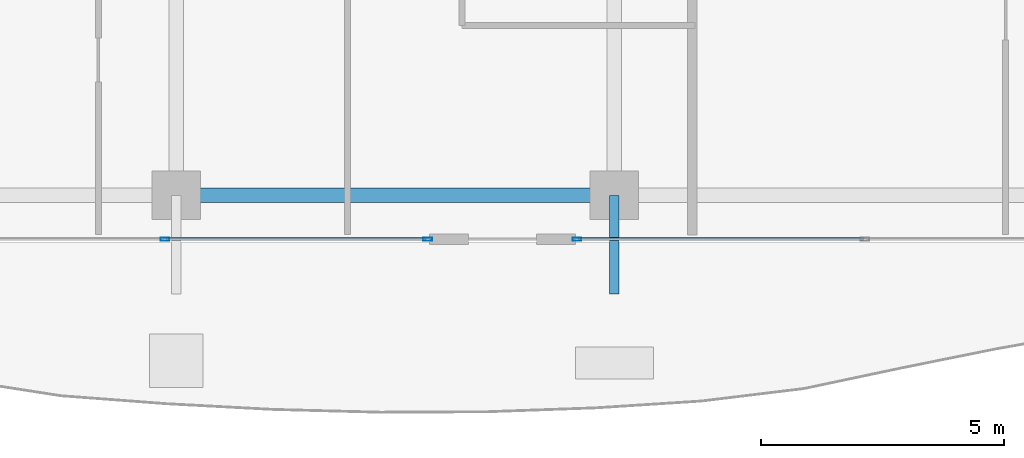
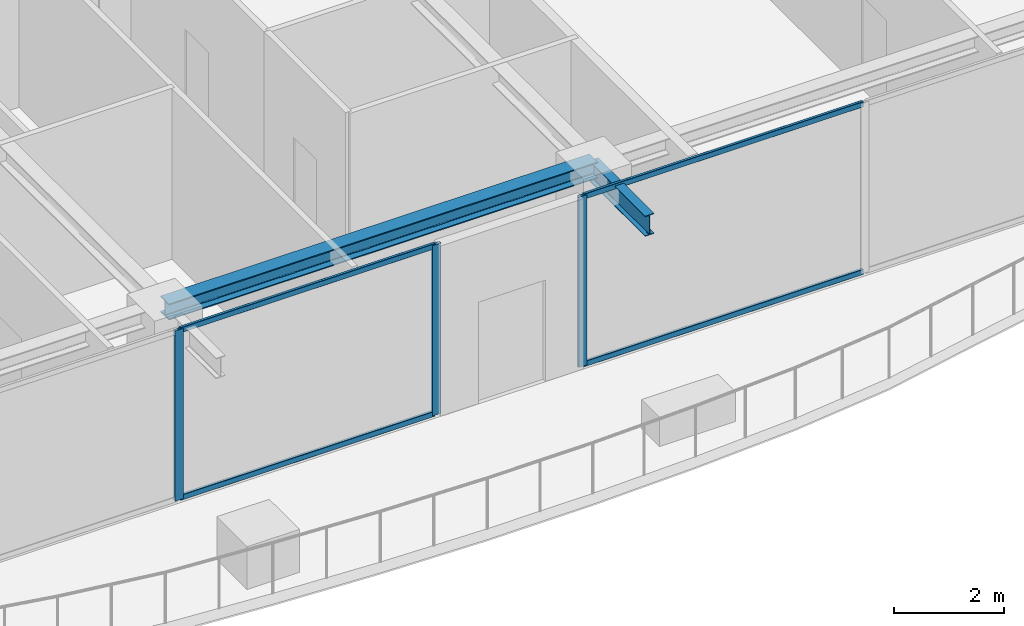
# One storey, part 6 of 42: 7 members, 2 beams, 2 elements without a shape of their own.
"""IFC4 building model written with IfcOpenShell, lengths in metres."""

from ifc_helpers import new_model, si_unit, direction, frame, origin, origin_2d, place, context, subcontext, project, spatial, hollow_rectangle, i_section, extrude, source, transform, mapped, material, layer, layer_set, material_profile, profile_set, type_object, element, aggregate, save


model = new_model("IFC4")

# Units and contexts
model_context = context("Model", 3, precision=1e-05, world=origin(), true_north=direction((0.0, 1.0)))
body_context = subcontext(model_context, "Body", "Model", "MODEL_VIEW")
ifc_project = project(units=[si_unit("LENGTHUNIT", "METRE"), si_unit("AREAUNIT", "SQUARE_METRE"), si_unit("VOLUMEUNIT", "CUBIC_METRE"), si_unit("PLANEANGLEUNIT", "RADIAN"), si_unit("MASSUNIT", "GRAM", prefix="KILO")], contexts=[model_context])

# Site, building, storey
site_placement = place(None, origin())
site = spatial("IfcSite", under=ifc_project, at=site_placement, CompositionType="ELEMENT")
building_placement = place(site_placement, origin())
building = spatial("IfcBuilding", under=site, at=building_placement, Name="Serunith Strait Residences", CompositionType="ELEMENT")
storey_placement = place(building_placement, frame((0.0, 0.0, 309.64990234375)))
storey = spatial("IfcBuildingStorey", under=building, at=storey_placement, Name="L77", CompositionType="ELEMENT", Elevation=309.64990234375)

# Beams
ifc_material_1 = material(Name="Steel S355J2", Category="steel")
ifc_material_profile_1 = material_profile(ifc_material_1, i_section(OverallWidth=0.300048828125, OverallDepth=0.360107421875, WebThickness=0.012451171875, FlangeThickness=0.0224609375, FilletRadius=0.027099609375, at=origin_2d()), Name="HEB 360")
ifc_profile_set_1 = profile_set([ifc_material_profile_1], Name="Steel S355J2")
beam_type_1 = type_object("IfcBeamType", Name="BM-HEB360", PredefinedType="BEAM", material=ifc_profile_set_1)
shared_shape_1 = source(origin(), body_context, "Body", "SweptSolid", [
    extrude(i_section(OverallWidth=0.300048828125, OverallDepth=0.360107421875, WebThickness=0.012451171875, FlangeThickness=0.0224609375, FilletRadius=0.027099609375, at=origin_2d()), origin(), (0.0, 0.0, 1.0), 9.0),
])
beam_1_placement = place(storey_placement, frame((27.89990234375, 3.300048828125, 3.607177734375), z_axis=(1.0, 0.0, 0.0), x_axis=(0.0, 1.0, 0.0)))
element("IfcBeam", 1, at=beam_1_placement, inside=storey, type_object=beam_type_1, Name="L77 Perimeter Ring Beam 02", PredefinedType="BEAM", context=body_context, shape_type="MappedRepresentation", body=[
    mapped(shared_shape_1, transform((0.0, 0.0, 0.0), scale=1.0)),
])
ifc_material_profile_2 = material_profile(ifc_material_1, i_section(OverallWidth=0.18994140625, OverallDepth=0.449951171875, WebThickness=0.009521484375, FlangeThickness=0.0146484375, FilletRadius=0.02099609375, at=origin_2d()), Name="IPE 450")
ifc_profile_set_2 = profile_set([ifc_material_profile_2], Name="Steel S355J2")
beam_type_2 = type_object("IfcBeamType", Name="BM-IPE450", PredefinedType="JOIST", material=ifc_profile_set_2)
shared_shape_2 = source(origin(), body_context, "Body", "SweptSolid", [
    extrude(i_section(OverallWidth=0.18994140625, OverallDepth=0.449951171875, WebThickness=0.009521484375, FlangeThickness=0.0146484375, FilletRadius=0.02099609375, at=origin_2d()), origin(), (0.0, 0.0, 1.0), 2.030029296875),
])
beam_2_placement = place(storey_placement, frame((36.89990234375, 3.300048828125, 3.531982421875), z_axis=(0.0, -1.0, 0.0), x_axis=(1.0, 0.0, 0.0)))
element("IfcBeam", 2, at=beam_2_placement, inside=storey, type_object=beam_type_2, Name="L78 Cantilevered Balcony Rib TC-S3", PredefinedType="JOIST", context=body_context, shape_type="MappedRepresentation", body=[
    mapped(shared_shape_2, transform((0.0, 0.0, 0.0), scale=1.0)),
])

# Curtain wall, members
ifc_material_2 = material(Name="Brushed Stainless-Silver Aluminium", Category="aluminium")
ifc_layer = layer(ifc_material_2, 0.199951171875, Name="Brushed Stainless-Silver Aluminium")
ifc_layer_set = layer_set([ifc_layer], Name="Brushed Stainless-Silver Aluminium")
curtain_wall_type = type_object("IfcCurtainWallType", Name="CW-SYS5", PredefinedType="NOTDEFINED", material=ifc_layer_set)
curtain_wall_1_placement = place(storey_placement, origin())
curtain_wall_1 = element("IfcCurtainWall", 3, at=curtain_wall_1_placement, inside=storey, type_object=curtain_wall_type, Name="L77 S Unitised Fritted Curtain Wall", PredefinedType="NOTDEFINED")
ifc_material_profile_3 = material_profile(ifc_material_2, hollow_rectangle(XDim=0.06494140625, YDim=0.179931640625, WallThickness=0.00341796875, InnerFilletRadius=0.00537109375, OuterFilletRadius=0.0087890625, at=origin_2d()), Name="ALU 180x65x3.5")
ifc_profile_set_3 = profile_set([ifc_material_profile_3], Name="Brushed Stainless-Silver Aluminium")
member_type_1 = type_object("IfcMemberType", Name="CW-SYS5-MULL", PredefinedType="MULLION", material=ifc_profile_set_3)
shared_shape_3 = source(origin(), body_context, "Body", "SweptSolid", [
    extrude(hollow_rectangle(XDim=0.06494140625, YDim=0.179931640625, WallThickness=0.00341796875, InnerFilletRadius=0.00537109375, OuterFilletRadius=0.0087890625, at=origin_2d()), origin(), (0.0, 0.0, 1.0), 3.775146484375),
])
member_1_placement = place(storey_placement, frame((27.666748046875, 2.39990234375, 0.0), z_axis=(0.0, 0.0, 1.0), x_axis=(0.0, 1.0, 0.0)))
member_1 = element("IfcMember", 4, at=member_1_placement, type_object=member_type_1, Name="CW-5 mullion 3", PredefinedType="MULLION", context=body_context, shape_type="MappedRepresentation", body=[
    mapped(shared_shape_3, transform((0.0, 0.0, 0.0), scale=1.0)),
])
member_2_placement = place(storey_placement, frame((33.0673828125, 2.39990234375, 0.0), z_axis=(0.0, 0.0, 1.0), x_axis=(0.0, 1.0, 0.0)))
member_2 = element("IfcMember", 5, at=member_2_placement, type_object=member_type_1, Name="CW-5 mullion 4", PredefinedType="MULLION", context=body_context, shape_type="MappedRepresentation", body=[
    mapped(shared_shape_3, transform((0.0, 0.0, 0.0), scale=1.0)),
])

curtain_wall_2_placement = place(storey_placement, origin())
curtain_wall_2 = element("IfcCurtainWall", 6, at=curtain_wall_2_placement, inside=storey, type_object=curtain_wall_type, Name="L77 S Unitised Fritted Curtain Wall", PredefinedType="NOTDEFINED")
member_3_placement = place(storey_placement, frame((36.132568359375, 2.39990234375, 0.0), z_axis=(0.0, 0.0, 1.0), x_axis=(0.0, 1.0, 0.0)))
member_3 = element("IfcMember", 7, at=member_3_placement, type_object=member_type_1, Name="CW-5 mullion 1", PredefinedType="MULLION", context=body_context, shape_type="MappedRepresentation", body=[
    mapped(shared_shape_3, transform((0.0, 0.0, 0.0), scale=1.0)),
])
ifc_material_profile_4 = material_profile(ifc_material_2, hollow_rectangle(XDim=0.06005859375, YDim=0.1201171875, WallThickness=0.00341796875, InnerFilletRadius=0.00537109375, OuterFilletRadius=0.0087890625, at=origin_2d()), Name="ALU 120x60x3.5")
ifc_profile_set_4 = profile_set([ifc_material_profile_4], Name="Brushed Stainless-Silver Aluminium")
member_type_2 = type_object("IfcMemberType", Name="CW-SYS5-TRAN", PredefinedType="USERDEFINED", material=ifc_profile_set_4)
shared_shape_4 = source(origin(), body_context, "Body", "SweptSolid", [
    extrude(hollow_rectangle(XDim=0.06005859375, YDim=0.1201171875, WallThickness=0.00341796875, InnerFilletRadius=0.00537109375, OuterFilletRadius=0.0087890625, at=origin_2d()), origin(), (0.0, 0.0, 1.0), 5.8525390625),
])
member_4_placement = place(storey_placement, frame((36.1650390625, 2.39990234375, 0.030029296875), z_axis=(1.0, 0.0, 0.0), x_axis=(0.0, 1.0, 0.0)))
member_4 = element("IfcMember", 8, at=member_4_placement, type_object=member_type_2, Name="CW-5 transom 1.1", ObjectType="TRANSOM", PredefinedType="USERDEFINED", context=body_context, shape_type="MappedRepresentation", body=[
    mapped(shared_shape_4, transform((0.0, 0.0, 0.0), scale=1.0)),
])
member_5_placement = place(storey_placement, frame((36.1650390625, 2.39990234375, 3.7451171875), z_axis=(1.0, 0.0, 0.0), x_axis=(0.0, 1.0, 0.0)))
member_5 = element("IfcMember", 9, at=member_5_placement, type_object=member_type_2, Name="CW-5 transom 1.2", ObjectType="TRANSOM", PredefinedType="USERDEFINED", context=body_context, shape_type="MappedRepresentation", body=[
    mapped(shared_shape_4, transform((0.0, 0.0, 0.0), scale=1.0)),
])
aggregate(curtain_wall_2, [member_3, member_4, member_5])

# Member
shared_shape_5 = source(origin(), body_context, "Body", "SweptSolid", [
    extrude(hollow_rectangle(XDim=0.06005859375, YDim=0.1201171875, WallThickness=0.00341796875, InnerFilletRadius=0.00537109375, OuterFilletRadius=0.0087890625, at=origin_2d()), origin(), (0.0, 0.0, 1.0), 5.335693359375),
])
member_6_placement = place(storey_placement, frame((27.69921875, 2.39990234375, 0.030029296875), z_axis=(1.0, 0.0, 0.0), x_axis=(0.0, 1.0, 0.0)))
member_6 = element("IfcMember", 10, at=member_6_placement, type_object=member_type_2, Name="CW-5 transom 3.1", ObjectType="TRANSOM", PredefinedType="USERDEFINED", context=body_context, shape_type="MappedRepresentation", body=[
    mapped(shared_shape_5, transform((0.0, 0.0, 0.0), scale=1.0)),
])

member_7_placement = place(storey_placement, frame((27.69921875, 2.39990234375, 3.7451171875), z_axis=(1.0, 0.0, 0.0), x_axis=(0.0, 1.0, 0.0)))
member_7 = element("IfcMember", 11, at=member_7_placement, type_object=member_type_2, Name="CW-5 transom 3.2", ObjectType="TRANSOM", PredefinedType="USERDEFINED", context=body_context, shape_type="MappedRepresentation", body=[
    mapped(shared_shape_5, transform((0.0, 0.0, 0.0), scale=1.0)),
])

aggregate(curtain_wall_1, [member_1, member_2, member_6, member_7])

save(model, "model.ifc")
